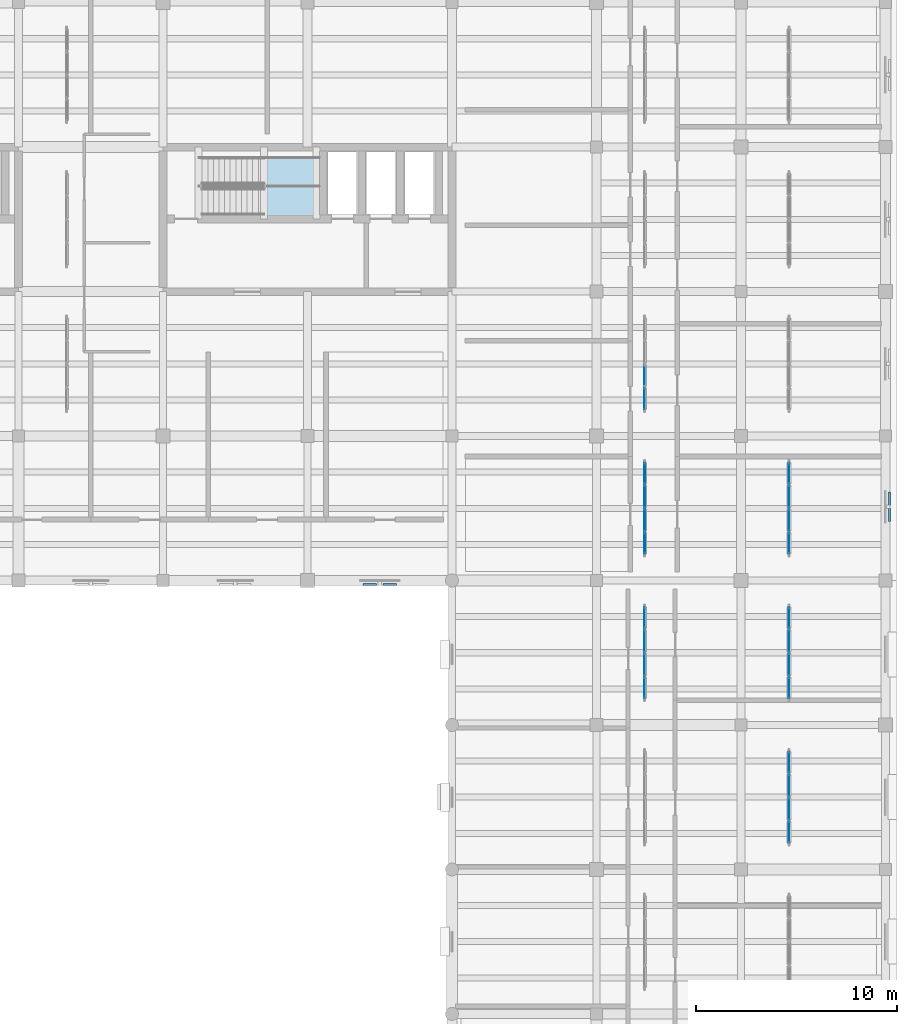
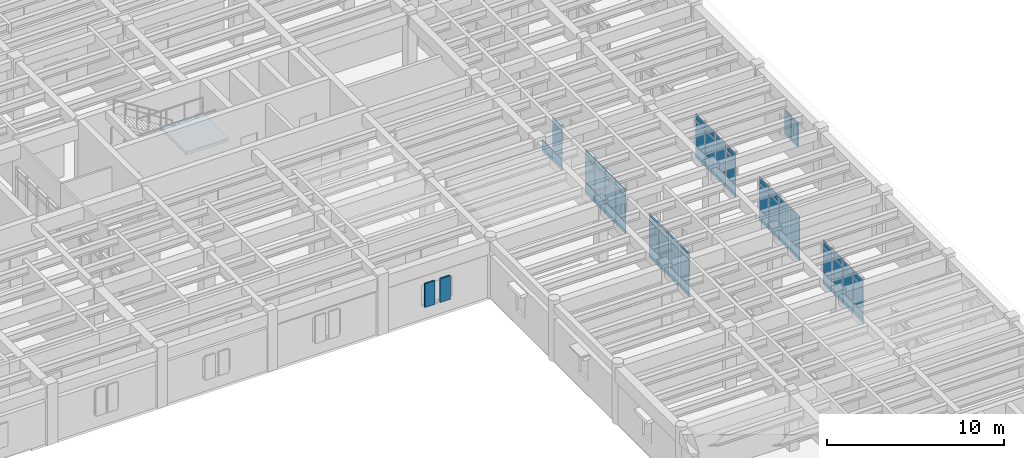
# One storey, part 32 of 66: 68 plates, 1 slab, 7 elements without a shape of their own.
"""IFC4 building model written with IfcOpenShell, lengths in metres."""

from ifc_helpers import new_model, si_unit, direction, frame, origin, origin_2d, place, context, subcontext, project, spatial, polyline, rectangle, outline, extrude, material, layer, layer_set, type_object, element, aggregate, save


model = new_model("IFC4")

# Units and contexts
model_context = context("Model", 3, precision=1e-05, world=origin(), true_north=direction((0.0, 1.0)))
body_context = subcontext(model_context, "Body", "Model", "MODEL_VIEW")
ifc_project = project(units=[si_unit("LENGTHUNIT", "METRE"), si_unit("AREAUNIT", "SQUARE_METRE"), si_unit("VOLUMEUNIT", "CUBIC_METRE"), si_unit("PLANEANGLEUNIT", "RADIAN"), si_unit("MASSUNIT", "GRAM", prefix="KILO")], contexts=[model_context])

# Site, building, storey
site_placement = place(None, origin())
site = spatial("IfcSite", under=ifc_project, at=site_placement, CompositionType="ELEMENT")
building_placement = place(site_placement, origin())
building = spatial("IfcBuilding", under=site, at=building_placement, Name="Mithqara Police Headquarters", CompositionType="ELEMENT")
storey_placement = place(building_placement, frame((0.0, 0.0, 9.60009765625)))
storey = spatial("IfcBuildingStorey", under=building, at=storey_placement, Name="L02", CompositionType="ELEMENT", Elevation=9.60009765625)

# Curtain wall, plates
ifc_material_1 = material(Name="Bronze anodised aluminium 6063-T6", Category="aluminium")
curtain_wall_type = type_object("IfcCurtainWallType", Name="CURTAIN WALL 4700X3220", PredefinedType="USERDEFINED", material=ifc_material_1)
curtain_wall_1_placement = place(storey_placement, origin())
curtain_wall_1 = element("IfcCurtainWall", 1, at=curtain_wall_1_placement, inside=storey, type_object=curtain_wall_type, Name="L02 Unitised Glazing CW-16 (CW-INT-L02-X21-Y10-0)", ObjectType="UNITISED GLAZING", PredefinedType="USERDEFINED")
ifc_material_2 = material(Name="Spectrally selective double low-e glass", Category="glass")
ifc_layer_1 = layer(ifc_material_2, 0.028076171875, Name="Spectrally selective double low-e glass")
ifc_layer_set_1 = layer_set([ifc_layer_1], Name="Spectrally selective double low-e glass")
plate_type_1 = type_object("IfcPlateType", Name="CWPANEL GLASS28", PredefinedType="CURTAIN_PANEL", material=ifc_layer_set_1)
plate_1_placement = place(storey_placement, frame((154.199951171875, 73.25634765625, 0.074951171875), z_axis=(0.0, 0.0, 1.0), x_axis=(0.0, 1.0, 0.0)))
plate_1 = element("IfcPlate", 2, at=plate_1_placement, type_object=plate_type_1, Name="CW-16 panel 1.1", PredefinedType="CURTAIN_PANEL", context=body_context, shape_type="SweptSolid", body=[
    extrude(rectangle(XDim=1.0625, YDim=0.028076171875, at=origin_2d()), origin(), (0.0, 0.0, 1.0), 0.78759765625),
])
plate_2_placement = place(storey_placement, frame((154.199951171875, 73.25634765625, 0.9375), z_axis=(0.0, 0.0, 1.0), x_axis=(0.0, 1.0, 0.0)))
plate_2 = element("IfcPlate", 3, at=plate_2_placement, type_object=plate_type_1, Name="CW-16 panel 1.2", PredefinedType="CURTAIN_PANEL", context=body_context, shape_type="SweptSolid", body=[
    extrude(rectangle(XDim=1.0625, YDim=0.028076171875, at=origin_2d()), origin(), (0.0, 0.0, 1.0), 1.695068359375),
])
plate_3_placement = place(storey_placement, frame((154.199951171875, 73.25634765625, 2.70751953125), z_axis=(0.0, 0.0, 1.0), x_axis=(0.0, 1.0, 0.0)))
plate_3 = element("IfcPlate", 4, at=plate_3_placement, type_object=plate_type_1, Name="CW-16 panel 1.3", PredefinedType="CURTAIN_PANEL", context=body_context, shape_type="SweptSolid", body=[
    extrude(rectangle(XDim=1.0625, YDim=0.028076171875, at=origin_2d()), origin(), (0.0, 0.0, 1.0), 0.4375),
])
plate_4_placement = place(storey_placement, frame((154.199951171875, 74.41259765625, 0.074951171875), z_axis=(0.0, 0.0, 1.0), x_axis=(0.0, 1.0, 0.0)))
plate_4 = element("IfcPlate", 5, at=plate_4_placement, type_object=plate_type_1, Name="CW-16 panel 2.1", PredefinedType="CURTAIN_PANEL", context=body_context, shape_type="SweptSolid", body=[
    extrude(rectangle(XDim=1.10009765625, YDim=0.028076171875, at=origin_2d()), origin(), (0.0, 0.0, 1.0), 0.78759765625),
])
plate_5_placement = place(storey_placement, frame((154.199951171875, 74.41259765625, 0.9375), z_axis=(0.0, 0.0, 1.0), x_axis=(0.0, 1.0, 0.0)))
plate_5 = element("IfcPlate", 6, at=plate_5_placement, type_object=plate_type_1, Name="CW-16 panel 2.2", PredefinedType="CURTAIN_PANEL", context=body_context, shape_type="SweptSolid", body=[
    extrude(rectangle(XDim=1.10009765625, YDim=0.028076171875, at=origin_2d()), origin(), (0.0, 0.0, 1.0), 1.695068359375),
])
plate_6_placement = place(storey_placement, frame((154.199951171875, 74.41259765625, 2.70751953125), z_axis=(0.0, 0.0, 1.0), x_axis=(0.0, 1.0, 0.0)))
plate_6 = element("IfcPlate", 7, at=plate_6_placement, type_object=plate_type_1, Name="CW-16 panel 2.3", PredefinedType="CURTAIN_PANEL", context=body_context, shape_type="SweptSolid", body=[
    extrude(rectangle(XDim=1.10009765625, YDim=0.028076171875, at=origin_2d()), origin(), (0.0, 0.0, 1.0), 0.4375),
])
plate_7_placement = place(storey_placement, frame((154.199951171875, 75.58740234375, 0.074951171875), z_axis=(0.0, 0.0, 1.0), x_axis=(0.0, 1.0, 0.0)))
plate_7 = element("IfcPlate", 8, at=plate_7_placement, type_object=plate_type_1, Name="CW-16 panel 3.1", PredefinedType="CURTAIN_PANEL", context=body_context, shape_type="SweptSolid", body=[
    extrude(rectangle(XDim=1.10009765625, YDim=0.028076171875, at=origin_2d()), origin(), (0.0, 0.0, 1.0), 0.78759765625),
])
plate_8_placement = place(storey_placement, frame((154.199951171875, 75.58740234375, 0.9375), z_axis=(0.0, 0.0, 1.0), x_axis=(0.0, 1.0, 0.0)))
plate_8 = element("IfcPlate", 9, at=plate_8_placement, type_object=plate_type_1, Name="CW-16 panel 3.2", PredefinedType="CURTAIN_PANEL", context=body_context, shape_type="SweptSolid", body=[
    extrude(rectangle(XDim=1.10009765625, YDim=0.028076171875, at=origin_2d()), origin(), (0.0, 0.0, 1.0), 1.695068359375),
])
plate_9_placement = place(storey_placement, frame((154.199951171875, 75.58740234375, 2.70751953125), z_axis=(0.0, 0.0, 1.0), x_axis=(0.0, 1.0, 0.0)))
plate_9 = element("IfcPlate", 10, at=plate_9_placement, type_object=plate_type_1, Name="CW-16 panel 3.3", PredefinedType="CURTAIN_PANEL", context=body_context, shape_type="SweptSolid", body=[
    extrude(rectangle(XDim=1.10009765625, YDim=0.028076171875, at=origin_2d()), origin(), (0.0, 0.0, 1.0), 0.4375),
])
plate_10_placement = place(storey_placement, frame((154.199951171875, 76.74365234375, 0.074951171875), z_axis=(0.0, 0.0, 1.0), x_axis=(0.0, 1.0, 0.0)))
plate_10 = element("IfcPlate", 11, at=plate_10_placement, type_object=plate_type_1, Name="CW-16 panel 4.1", PredefinedType="CURTAIN_PANEL", context=body_context, shape_type="SweptSolid", body=[
    extrude(rectangle(XDim=1.0625, YDim=0.028076171875, at=origin_2d()), origin(), (0.0, 0.0, 1.0), 0.78759765625),
])
plate_11_placement = place(storey_placement, frame((154.199951171875, 76.74365234375, 0.9375), z_axis=(0.0, 0.0, 1.0), x_axis=(0.0, 1.0, 0.0)))
plate_11 = element("IfcPlate", 12, at=plate_11_placement, type_object=plate_type_1, Name="CW-16 panel 4.2", PredefinedType="CURTAIN_PANEL", context=body_context, shape_type="SweptSolid", body=[
    extrude(rectangle(XDim=1.0625, YDim=0.028076171875, at=origin_2d()), origin(), (0.0, 0.0, 1.0), 1.695068359375),
])
plate_12_placement = place(storey_placement, frame((154.199951171875, 76.74365234375, 2.70751953125), z_axis=(0.0, 0.0, 1.0), x_axis=(0.0, 1.0, 0.0)))
plate_12 = element("IfcPlate", 13, at=plate_12_placement, type_object=plate_type_1, Name="CW-16 panel 4.3", PredefinedType="CURTAIN_PANEL", context=body_context, shape_type="SweptSolid", body=[
    extrude(rectangle(XDim=1.0625, YDim=0.028076171875, at=origin_2d()), origin(), (0.0, 0.0, 1.0), 0.4375),
])
aggregate(curtain_wall_1, [plate_1, plate_2, plate_3, plate_4, plate_5, plate_6, plate_7, plate_8, plate_9, plate_10, plate_11, plate_12])

curtain_wall_2_placement = place(storey_placement, origin())
curtain_wall_2 = element("IfcCurtainWall", 14, at=curtain_wall_2_placement, inside=storey, type_object=curtain_wall_type, Name="L02 Unitised Glazing CW-16 (CW-INT-L02-X21-Y12-0)", ObjectType="UNITISED GLAZING", PredefinedType="USERDEFINED")
plate_13_placement = place(storey_placement, frame((154.199951171875, 87.65625, 0.074951171875), z_axis=(0.0, 0.0, 1.0), x_axis=(0.0, 1.0, 0.0)))
plate_13 = element("IfcPlate", 15, at=plate_13_placement, type_object=plate_type_1, Name="CW-16 panel 1.1", PredefinedType="CURTAIN_PANEL", context=body_context, shape_type="SweptSolid", body=[
    extrude(rectangle(XDim=1.0625, YDim=0.028076171875, at=origin_2d()), origin(), (0.0, 0.0, 1.0), 0.78759765625),
])
plate_14_placement = place(storey_placement, frame((154.199951171875, 87.65625, 0.9375), z_axis=(0.0, 0.0, 1.0), x_axis=(0.0, 1.0, 0.0)))
plate_14 = element("IfcPlate", 16, at=plate_14_placement, type_object=plate_type_1, Name="CW-16 panel 1.2", PredefinedType="CURTAIN_PANEL", context=body_context, shape_type="SweptSolid", body=[
    extrude(rectangle(XDim=1.0625, YDim=0.028076171875, at=origin_2d()), origin(), (0.0, 0.0, 1.0), 1.695068359375),
])
plate_15_placement = place(storey_placement, frame((154.199951171875, 87.65625, 2.70751953125), z_axis=(0.0, 0.0, 1.0), x_axis=(0.0, 1.0, 0.0)))
plate_15 = element("IfcPlate", 17, at=plate_15_placement, type_object=plate_type_1, Name="CW-16 panel 1.3", PredefinedType="CURTAIN_PANEL", context=body_context, shape_type="SweptSolid", body=[
    extrude(rectangle(XDim=1.0625, YDim=0.028076171875, at=origin_2d()), origin(), (0.0, 0.0, 1.0), 0.4375),
])
plate_16_placement = place(storey_placement, frame((154.199951171875, 88.8125, 0.074951171875), z_axis=(0.0, 0.0, 1.0), x_axis=(0.0, 1.0, 0.0)))
plate_16 = element("IfcPlate", 18, at=plate_16_placement, type_object=plate_type_1, Name="CW-16 panel 2.1", PredefinedType="CURTAIN_PANEL", context=body_context, shape_type="SweptSolid", body=[
    extrude(rectangle(XDim=1.10009765625, YDim=0.028076171875, at=origin_2d()), origin(), (0.0, 0.0, 1.0), 0.78759765625),
])
aggregate(curtain_wall_2, [plate_13, plate_14, plate_15, plate_16])

curtain_wall_3_placement = place(storey_placement, origin())
curtain_wall_3 = element("IfcCurtainWall", 19, at=curtain_wall_3_placement, inside=storey, type_object=curtain_wall_type, Name="L02 Unitised Glazing CW-16 (CW-INT-L02-X22-Y09-0)", ObjectType="UNITISED GLAZING", PredefinedType="USERDEFINED")
plate_17_placement = place(storey_placement, frame((161.39990234375, 66.05615234375, 0.074951171875), z_axis=(0.0, 0.0, 1.0), x_axis=(0.0, 1.0, 0.0)))
plate_17 = element("IfcPlate", 20, at=plate_17_placement, type_object=plate_type_1, Name="CW-16 panel 1.1", PredefinedType="CURTAIN_PANEL", context=body_context, shape_type="SweptSolid", body=[
    extrude(rectangle(XDim=1.0625, YDim=0.028076171875, at=origin_2d()), origin(), (0.0, 0.0, 1.0), 0.78759765625),
])
plate_18_placement = place(storey_placement, frame((161.39990234375, 66.05615234375, 0.9375), z_axis=(0.0, 0.0, 1.0), x_axis=(0.0, 1.0, 0.0)))
plate_18 = element("IfcPlate", 21, at=plate_18_placement, type_object=plate_type_1, Name="CW-16 panel 1.2", PredefinedType="CURTAIN_PANEL", context=body_context, shape_type="SweptSolid", body=[
    extrude(rectangle(XDim=1.0625, YDim=0.028076171875, at=origin_2d()), origin(), (0.0, 0.0, 1.0), 1.695068359375),
])
plate_19_placement = place(storey_placement, frame((161.39990234375, 66.05615234375, 2.70751953125), z_axis=(0.0, 0.0, 1.0), x_axis=(0.0, 1.0, 0.0)))
plate_19 = element("IfcPlate", 22, at=plate_19_placement, type_object=plate_type_1, Name="CW-16 panel 1.3", PredefinedType="CURTAIN_PANEL", context=body_context, shape_type="SweptSolid", body=[
    extrude(rectangle(XDim=1.0625, YDim=0.028076171875, at=origin_2d()), origin(), (0.0, 0.0, 1.0), 0.4375),
])
plate_20_placement = place(storey_placement, frame((161.39990234375, 67.21240234375, 0.074951171875), z_axis=(0.0, 0.0, 1.0), x_axis=(0.0, 1.0, 0.0)))
plate_20 = element("IfcPlate", 23, at=plate_20_placement, type_object=plate_type_1, Name="CW-16 panel 2.1", PredefinedType="CURTAIN_PANEL", context=body_context, shape_type="SweptSolid", body=[
    extrude(rectangle(XDim=1.10009765625, YDim=0.028076171875, at=origin_2d()), origin(), (0.0, 0.0, 1.0), 0.78759765625),
])
plate_21_placement = place(storey_placement, frame((161.39990234375, 67.21240234375, 0.9375), z_axis=(0.0, 0.0, 1.0), x_axis=(0.0, 1.0, 0.0)))
plate_21 = element("IfcPlate", 24, at=plate_21_placement, type_object=plate_type_1, Name="CW-16 panel 2.2", PredefinedType="CURTAIN_PANEL", context=body_context, shape_type="SweptSolid", body=[
    extrude(rectangle(XDim=1.10009765625, YDim=0.028076171875, at=origin_2d()), origin(), (0.0, 0.0, 1.0), 1.695068359375),
])
plate_22_placement = place(storey_placement, frame((161.39990234375, 67.21240234375, 2.70751953125), z_axis=(0.0, 0.0, 1.0), x_axis=(0.0, 1.0, 0.0)))
plate_22 = element("IfcPlate", 25, at=plate_22_placement, type_object=plate_type_1, Name="CW-16 panel 2.3", PredefinedType="CURTAIN_PANEL", context=body_context, shape_type="SweptSolid", body=[
    extrude(rectangle(XDim=1.10009765625, YDim=0.028076171875, at=origin_2d()), origin(), (0.0, 0.0, 1.0), 0.4375),
])
plate_23_placement = place(storey_placement, frame((161.39990234375, 68.387451171875, 0.074951171875), z_axis=(0.0, 0.0, 1.0), x_axis=(0.0, 1.0, 0.0)))
plate_23 = element("IfcPlate", 26, at=plate_23_placement, type_object=plate_type_1, Name="CW-16 panel 3.1", PredefinedType="CURTAIN_PANEL", context=body_context, shape_type="SweptSolid", body=[
    extrude(rectangle(XDim=1.10009765625, YDim=0.028076171875, at=origin_2d()), origin(), (0.0, 0.0, 1.0), 0.78759765625),
])
plate_24_placement = place(storey_placement, frame((161.39990234375, 68.387451171875, 0.9375), z_axis=(0.0, 0.0, 1.0), x_axis=(0.0, 1.0, 0.0)))
plate_24 = element("IfcPlate", 27, at=plate_24_placement, type_object=plate_type_1, Name="CW-16 panel 3.2", PredefinedType="CURTAIN_PANEL", context=body_context, shape_type="SweptSolid", body=[
    extrude(rectangle(XDim=1.10009765625, YDim=0.028076171875, at=origin_2d()), origin(), (0.0, 0.0, 1.0), 1.695068359375),
])
plate_25_placement = place(storey_placement, frame((161.39990234375, 68.387451171875, 2.70751953125), z_axis=(0.0, 0.0, 1.0), x_axis=(0.0, 1.0, 0.0)))
plate_25 = element("IfcPlate", 28, at=plate_25_placement, type_object=plate_type_1, Name="CW-16 panel 3.3", PredefinedType="CURTAIN_PANEL", context=body_context, shape_type="SweptSolid", body=[
    extrude(rectangle(XDim=1.10009765625, YDim=0.028076171875, at=origin_2d()), origin(), (0.0, 0.0, 1.0), 0.4375),
])
plate_26_placement = place(storey_placement, frame((161.39990234375, 69.543701171875, 0.074951171875), z_axis=(0.0, 0.0, 1.0), x_axis=(0.0, 1.0, 0.0)))
plate_26 = element("IfcPlate", 29, at=plate_26_placement, type_object=plate_type_1, Name="CW-16 panel 4.1", PredefinedType="CURTAIN_PANEL", context=body_context, shape_type="SweptSolid", body=[
    extrude(rectangle(XDim=1.0625, YDim=0.028076171875, at=origin_2d()), origin(), (0.0, 0.0, 1.0), 0.78759765625),
])
plate_27_placement = place(storey_placement, frame((161.39990234375, 69.543701171875, 0.9375), z_axis=(0.0, 0.0, 1.0), x_axis=(0.0, 1.0, 0.0)))
plate_27 = element("IfcPlate", 30, at=plate_27_placement, type_object=plate_type_1, Name="CW-16 panel 4.2", PredefinedType="CURTAIN_PANEL", context=body_context, shape_type="SweptSolid", body=[
    extrude(rectangle(XDim=1.0625, YDim=0.028076171875, at=origin_2d()), origin(), (0.0, 0.0, 1.0), 1.695068359375),
])
plate_28_placement = place(storey_placement, frame((161.39990234375, 69.543701171875, 2.70751953125), z_axis=(0.0, 0.0, 1.0), x_axis=(0.0, 1.0, 0.0)))
plate_28 = element("IfcPlate", 31, at=plate_28_placement, type_object=plate_type_1, Name="CW-16 panel 4.3", PredefinedType="CURTAIN_PANEL", context=body_context, shape_type="SweptSolid", body=[
    extrude(rectangle(XDim=1.0625, YDim=0.028076171875, at=origin_2d()), origin(), (0.0, 0.0, 1.0), 0.4375),
])
aggregate(curtain_wall_3, [plate_17, plate_18, plate_19, plate_20, plate_21, plate_22, plate_23, plate_24, plate_25, plate_26, plate_27, plate_28])

curtain_wall_4_placement = place(storey_placement, origin())
curtain_wall_4 = element("IfcCurtainWall", 32, at=curtain_wall_4_placement, inside=storey, type_object=curtain_wall_type, Name="L02 Unitised Glazing CW-16 (CW-INT-L02-X22-Y10-0)", ObjectType="UNITISED GLAZING", PredefinedType="USERDEFINED")
plate_29_placement = place(storey_placement, frame((161.39990234375, 73.25634765625, 0.074951171875), z_axis=(0.0, 0.0, 1.0), x_axis=(0.0, 1.0, 0.0)))
plate_29 = element("IfcPlate", 33, at=plate_29_placement, type_object=plate_type_1, Name="CW-16 panel 1.1", PredefinedType="CURTAIN_PANEL", context=body_context, shape_type="SweptSolid", body=[
    extrude(rectangle(XDim=1.0625, YDim=0.028076171875, at=origin_2d()), origin(), (0.0, 0.0, 1.0), 0.78759765625),
])
plate_30_placement = place(storey_placement, frame((161.39990234375, 73.25634765625, 0.9375), z_axis=(0.0, 0.0, 1.0), x_axis=(0.0, 1.0, 0.0)))
plate_30 = element("IfcPlate", 34, at=plate_30_placement, type_object=plate_type_1, Name="CW-16 panel 1.2", PredefinedType="CURTAIN_PANEL", context=body_context, shape_type="SweptSolid", body=[
    extrude(rectangle(XDim=1.0625, YDim=0.028076171875, at=origin_2d()), origin(), (0.0, 0.0, 1.0), 1.695068359375),
])
plate_31_placement = place(storey_placement, frame((161.39990234375, 73.25634765625, 2.70751953125), z_axis=(0.0, 0.0, 1.0), x_axis=(0.0, 1.0, 0.0)))
plate_31 = element("IfcPlate", 35, at=plate_31_placement, type_object=plate_type_1, Name="CW-16 panel 1.3", PredefinedType="CURTAIN_PANEL", context=body_context, shape_type="SweptSolid", body=[
    extrude(rectangle(XDim=1.0625, YDim=0.028076171875, at=origin_2d()), origin(), (0.0, 0.0, 1.0), 0.4375),
])
plate_32_placement = place(storey_placement, frame((161.39990234375, 74.41259765625, 0.074951171875), z_axis=(0.0, 0.0, 1.0), x_axis=(0.0, 1.0, 0.0)))
plate_32 = element("IfcPlate", 36, at=plate_32_placement, type_object=plate_type_1, Name="CW-16 panel 2.1", PredefinedType="CURTAIN_PANEL", context=body_context, shape_type="SweptSolid", body=[
    extrude(rectangle(XDim=1.10009765625, YDim=0.028076171875, at=origin_2d()), origin(), (0.0, 0.0, 1.0), 0.78759765625),
])
plate_33_placement = place(storey_placement, frame((161.39990234375, 74.41259765625, 0.9375), z_axis=(0.0, 0.0, 1.0), x_axis=(0.0, 1.0, 0.0)))
plate_33 = element("IfcPlate", 37, at=plate_33_placement, type_object=plate_type_1, Name="CW-16 panel 2.2", PredefinedType="CURTAIN_PANEL", context=body_context, shape_type="SweptSolid", body=[
    extrude(rectangle(XDim=1.10009765625, YDim=0.028076171875, at=origin_2d()), origin(), (0.0, 0.0, 1.0), 1.695068359375),
])
plate_34_placement = place(storey_placement, frame((161.39990234375, 74.41259765625, 2.70751953125), z_axis=(0.0, 0.0, 1.0), x_axis=(0.0, 1.0, 0.0)))
plate_34 = element("IfcPlate", 38, at=plate_34_placement, type_object=plate_type_1, Name="CW-16 panel 2.3", PredefinedType="CURTAIN_PANEL", context=body_context, shape_type="SweptSolid", body=[
    extrude(rectangle(XDim=1.10009765625, YDim=0.028076171875, at=origin_2d()), origin(), (0.0, 0.0, 1.0), 0.4375),
])
plate_35_placement = place(storey_placement, frame((161.39990234375, 75.58740234375, 0.074951171875), z_axis=(0.0, 0.0, 1.0), x_axis=(0.0, 1.0, 0.0)))
plate_35 = element("IfcPlate", 39, at=plate_35_placement, type_object=plate_type_1, Name="CW-16 panel 3.1", PredefinedType="CURTAIN_PANEL", context=body_context, shape_type="SweptSolid", body=[
    extrude(rectangle(XDim=1.10009765625, YDim=0.028076171875, at=origin_2d()), origin(), (0.0, 0.0, 1.0), 0.78759765625),
])
plate_36_placement = place(storey_placement, frame((161.39990234375, 75.58740234375, 0.9375), z_axis=(0.0, 0.0, 1.0), x_axis=(0.0, 1.0, 0.0)))
plate_36 = element("IfcPlate", 40, at=plate_36_placement, type_object=plate_type_1, Name="CW-16 panel 3.2", PredefinedType="CURTAIN_PANEL", context=body_context, shape_type="SweptSolid", body=[
    extrude(rectangle(XDim=1.10009765625, YDim=0.028076171875, at=origin_2d()), origin(), (0.0, 0.0, 1.0), 1.695068359375),
])
plate_37_placement = place(storey_placement, frame((161.39990234375, 75.58740234375, 2.70751953125), z_axis=(0.0, 0.0, 1.0), x_axis=(0.0, 1.0, 0.0)))
plate_37 = element("IfcPlate", 41, at=plate_37_placement, type_object=plate_type_1, Name="CW-16 panel 3.3", PredefinedType="CURTAIN_PANEL", context=body_context, shape_type="SweptSolid", body=[
    extrude(rectangle(XDim=1.10009765625, YDim=0.028076171875, at=origin_2d()), origin(), (0.0, 0.0, 1.0), 0.4375),
])
plate_38_placement = place(storey_placement, frame((161.39990234375, 76.74365234375, 0.074951171875), z_axis=(0.0, 0.0, 1.0), x_axis=(0.0, 1.0, 0.0)))
plate_38 = element("IfcPlate", 42, at=plate_38_placement, type_object=plate_type_1, Name="CW-16 panel 4.1", PredefinedType="CURTAIN_PANEL", context=body_context, shape_type="SweptSolid", body=[
    extrude(rectangle(XDim=1.0625, YDim=0.028076171875, at=origin_2d()), origin(), (0.0, 0.0, 1.0), 0.78759765625),
])
plate_39_placement = place(storey_placement, frame((161.39990234375, 76.74365234375, 0.9375), z_axis=(0.0, 0.0, 1.0), x_axis=(0.0, 1.0, 0.0)))
plate_39 = element("IfcPlate", 43, at=plate_39_placement, type_object=plate_type_1, Name="CW-16 panel 4.2", PredefinedType="CURTAIN_PANEL", context=body_context, shape_type="SweptSolid", body=[
    extrude(rectangle(XDim=1.0625, YDim=0.028076171875, at=origin_2d()), origin(), (0.0, 0.0, 1.0), 1.695068359375),
])
plate_40_placement = place(storey_placement, frame((161.39990234375, 76.74365234375, 2.70751953125), z_axis=(0.0, 0.0, 1.0), x_axis=(0.0, 1.0, 0.0)))
plate_40 = element("IfcPlate", 44, at=plate_40_placement, type_object=plate_type_1, Name="CW-16 panel 4.3", PredefinedType="CURTAIN_PANEL", context=body_context, shape_type="SweptSolid", body=[
    extrude(rectangle(XDim=1.0625, YDim=0.028076171875, at=origin_2d()), origin(), (0.0, 0.0, 1.0), 0.4375),
])
aggregate(curtain_wall_4, [plate_29, plate_30, plate_31, plate_32, plate_33, plate_34, plate_35, plate_36, plate_37, plate_38, plate_39, plate_40])

curtain_wall_5_placement = place(storey_placement, origin())
curtain_wall_5 = element("IfcCurtainWall", 45, at=curtain_wall_5_placement, inside=storey, type_object=curtain_wall_type, Name="L02 Unitised Glazing CW-16 (CW-INT-L02-X22-Y11-0)", ObjectType="UNITISED GLAZING", PredefinedType="USERDEFINED")
plate_41_placement = place(storey_placement, frame((161.39990234375, 80.456298828125, 0.074951171875), z_axis=(0.0, 0.0, 1.0), x_axis=(0.0, 1.0, 0.0)))
plate_41 = element("IfcPlate", 46, at=plate_41_placement, type_object=plate_type_1, Name="CW-16 panel 1.1", PredefinedType="CURTAIN_PANEL", context=body_context, shape_type="SweptSolid", body=[
    extrude(rectangle(XDim=1.0625, YDim=0.028076171875, at=origin_2d()), origin(), (0.0, 0.0, 1.0), 0.78759765625),
])
plate_42_placement = place(storey_placement, frame((161.39990234375, 80.456298828125, 0.9375), z_axis=(0.0, 0.0, 1.0), x_axis=(0.0, 1.0, 0.0)))
plate_42 = element("IfcPlate", 47, at=plate_42_placement, type_object=plate_type_1, Name="CW-16 panel 1.2", PredefinedType="CURTAIN_PANEL", context=body_context, shape_type="SweptSolid", body=[
    extrude(rectangle(XDim=1.0625, YDim=0.028076171875, at=origin_2d()), origin(), (0.0, 0.0, 1.0), 1.695068359375),
])
plate_43_placement = place(storey_placement, frame((161.39990234375, 80.456298828125, 2.70751953125), z_axis=(0.0, 0.0, 1.0), x_axis=(0.0, 1.0, 0.0)))
plate_43 = element("IfcPlate", 48, at=plate_43_placement, type_object=plate_type_1, Name="CW-16 panel 1.3", PredefinedType="CURTAIN_PANEL", context=body_context, shape_type="SweptSolid", body=[
    extrude(rectangle(XDim=1.0625, YDim=0.028076171875, at=origin_2d()), origin(), (0.0, 0.0, 1.0), 0.4375),
])
plate_44_placement = place(storey_placement, frame((161.39990234375, 81.612548828125, 0.074951171875), z_axis=(0.0, 0.0, 1.0), x_axis=(0.0, 1.0, 0.0)))
plate_44 = element("IfcPlate", 49, at=plate_44_placement, type_object=plate_type_1, Name="CW-16 panel 2.1", PredefinedType="CURTAIN_PANEL", context=body_context, shape_type="SweptSolid", body=[
    extrude(rectangle(XDim=1.10009765625, YDim=0.028076171875, at=origin_2d()), origin(), (0.0, 0.0, 1.0), 0.78759765625),
])
plate_45_placement = place(storey_placement, frame((161.39990234375, 81.612548828125, 0.9375), z_axis=(0.0, 0.0, 1.0), x_axis=(0.0, 1.0, 0.0)))
plate_45 = element("IfcPlate", 50, at=plate_45_placement, type_object=plate_type_1, Name="CW-16 panel 2.2", PredefinedType="CURTAIN_PANEL", context=body_context, shape_type="SweptSolid", body=[
    extrude(rectangle(XDim=1.10009765625, YDim=0.028076171875, at=origin_2d()), origin(), (0.0, 0.0, 1.0), 1.695068359375),
])
plate_46_placement = place(storey_placement, frame((161.39990234375, 81.612548828125, 2.70751953125), z_axis=(0.0, 0.0, 1.0), x_axis=(0.0, 1.0, 0.0)))
plate_46 = element("IfcPlate", 51, at=plate_46_placement, type_object=plate_type_1, Name="CW-16 panel 2.3", PredefinedType="CURTAIN_PANEL", context=body_context, shape_type="SweptSolid", body=[
    extrude(rectangle(XDim=1.10009765625, YDim=0.028076171875, at=origin_2d()), origin(), (0.0, 0.0, 1.0), 0.4375),
])
plate_47_placement = place(storey_placement, frame((161.39990234375, 82.78759765625, 0.074951171875), z_axis=(0.0, 0.0, 1.0), x_axis=(0.0, 1.0, 0.0)))
plate_47 = element("IfcPlate", 52, at=plate_47_placement, type_object=plate_type_1, Name="CW-16 panel 3.1", PredefinedType="CURTAIN_PANEL", context=body_context, shape_type="SweptSolid", body=[
    extrude(rectangle(XDim=1.10009765625, YDim=0.028076171875, at=origin_2d()), origin(), (0.0, 0.0, 1.0), 0.78759765625),
])
plate_48_placement = place(storey_placement, frame((161.39990234375, 82.78759765625, 0.9375), z_axis=(0.0, 0.0, 1.0), x_axis=(0.0, 1.0, 0.0)))
plate_48 = element("IfcPlate", 53, at=plate_48_placement, type_object=plate_type_1, Name="CW-16 panel 3.2", PredefinedType="CURTAIN_PANEL", context=body_context, shape_type="SweptSolid", body=[
    extrude(rectangle(XDim=1.10009765625, YDim=0.028076171875, at=origin_2d()), origin(), (0.0, 0.0, 1.0), 1.695068359375),
])
plate_49_placement = place(storey_placement, frame((161.39990234375, 82.78759765625, 2.70751953125), z_axis=(0.0, 0.0, 1.0), x_axis=(0.0, 1.0, 0.0)))
plate_49 = element("IfcPlate", 54, at=plate_49_placement, type_object=plate_type_1, Name="CW-16 panel 3.3", PredefinedType="CURTAIN_PANEL", context=body_context, shape_type="SweptSolid", body=[
    extrude(rectangle(XDim=1.10009765625, YDim=0.028076171875, at=origin_2d()), origin(), (0.0, 0.0, 1.0), 0.4375),
])
plate_50_placement = place(storey_placement, frame((161.39990234375, 83.94384765625, 0.074951171875), z_axis=(0.0, 0.0, 1.0), x_axis=(0.0, 1.0, 0.0)))
plate_50 = element("IfcPlate", 55, at=plate_50_placement, type_object=plate_type_1, Name="CW-16 panel 4.1", PredefinedType="CURTAIN_PANEL", context=body_context, shape_type="SweptSolid", body=[
    extrude(rectangle(XDim=1.0625, YDim=0.028076171875, at=origin_2d()), origin(), (0.0, 0.0, 1.0), 0.78759765625),
])
plate_51_placement = place(storey_placement, frame((161.39990234375, 83.94384765625, 0.9375), z_axis=(0.0, 0.0, 1.0), x_axis=(0.0, 1.0, 0.0)))
plate_51 = element("IfcPlate", 56, at=plate_51_placement, type_object=plate_type_1, Name="CW-16 panel 4.2", PredefinedType="CURTAIN_PANEL", context=body_context, shape_type="SweptSolid", body=[
    extrude(rectangle(XDim=1.0625, YDim=0.028076171875, at=origin_2d()), origin(), (0.0, 0.0, 1.0), 1.695068359375),
])
plate_52_placement = place(storey_placement, frame((161.39990234375, 83.94384765625, 2.70751953125), z_axis=(0.0, 0.0, 1.0), x_axis=(0.0, 1.0, 0.0)))
plate_52 = element("IfcPlate", 57, at=plate_52_placement, type_object=plate_type_1, Name="CW-16 panel 4.3", PredefinedType="CURTAIN_PANEL", context=body_context, shape_type="SweptSolid", body=[
    extrude(rectangle(XDim=1.0625, YDim=0.028076171875, at=origin_2d()), origin(), (0.0, 0.0, 1.0), 0.4375),
])
aggregate(curtain_wall_5, [plate_41, plate_42, plate_43, plate_44, plate_45, plate_46, plate_47, plate_48, plate_49, plate_50, plate_51, plate_52])

curtain_wall_6_placement = place(storey_placement, origin())
curtain_wall_6 = element("IfcCurtainWall", 58, at=curtain_wall_6_placement, inside=storey, type_object=curtain_wall_type, Name="L02 Unitised Glazing CW-16 (CW-INT-L02-X21-Y11-0)", ObjectType="UNITISED GLAZING", PredefinedType="USERDEFINED")
ifc_material_3 = material(Name="Insulated bronze aluminium spandrel panel", Category="aluminium")
ifc_layer_2 = layer(ifc_material_3, 0.048095703125, Name="Insulated bronze aluminium spandrel panel")
ifc_layer_set_2 = layer_set([ifc_layer_2], Name="Insulated bronze aluminium spandrel panel")
plate_type_2 = type_object("IfcPlateType", Name="CWPANEL SPANDREL48", PredefinedType="CURTAIN_PANEL", material=ifc_layer_set_2)
plate_53_placement = place(storey_placement, frame((154.199951171875, 80.456298828125, 0.074951171875), z_axis=(0.0, 0.0, 1.0), x_axis=(0.0, 1.0, 0.0)))
plate_53 = element("IfcPlate", 59, at=plate_53_placement, type_object=plate_type_2, Name="CW-16 panel 1.1", PredefinedType="CURTAIN_PANEL", context=body_context, shape_type="SweptSolid", body=[
    extrude(rectangle(XDim=1.0625, YDim=0.048095703125, at=origin_2d()), origin(), (0.0, 0.0, 1.0), 0.78759765625),
])
plate_54_placement = place(storey_placement, frame((154.199951171875, 80.456298828125, 0.9375), z_axis=(0.0, 0.0, 1.0), x_axis=(0.0, 1.0, 0.0)))
plate_54 = element("IfcPlate", 60, at=plate_54_placement, type_object=plate_type_2, Name="CW-16 panel 1.2", PredefinedType="CURTAIN_PANEL", context=body_context, shape_type="SweptSolid", body=[
    extrude(rectangle(XDim=1.0625, YDim=0.048095703125, at=origin_2d()), origin(), (0.0, 0.0, 1.0), 1.695068359375),
])
plate_55_placement = place(storey_placement, frame((154.199951171875, 80.456298828125, 2.70751953125), z_axis=(0.0, 0.0, 1.0), x_axis=(0.0, 1.0, 0.0)))
plate_55 = element("IfcPlate", 61, at=plate_55_placement, type_object=plate_type_2, Name="CW-16 panel 1.3", PredefinedType="CURTAIN_PANEL", context=body_context, shape_type="SweptSolid", body=[
    extrude(rectangle(XDim=1.0625, YDim=0.048095703125, at=origin_2d()), origin(), (0.0, 0.0, 1.0), 0.4375),
])
plate_56_placement = place(storey_placement, frame((154.199951171875, 81.612548828125, 0.074951171875), z_axis=(0.0, 0.0, 1.0), x_axis=(0.0, 1.0, 0.0)))
plate_56 = element("IfcPlate", 62, at=plate_56_placement, type_object=plate_type_2, Name="CW-16 panel 2.1", PredefinedType="CURTAIN_PANEL", context=body_context, shape_type="SweptSolid", body=[
    extrude(rectangle(XDim=1.10009765625, YDim=0.048095703125, at=origin_2d()), origin(), (0.0, 0.0, 1.0), 0.78759765625),
])
plate_57_placement = place(storey_placement, frame((154.199951171875, 81.612548828125, 0.9375), z_axis=(0.0, 0.0, 1.0), x_axis=(0.0, 1.0, 0.0)))
plate_57 = element("IfcPlate", 63, at=plate_57_placement, type_object=plate_type_2, Name="CW-16 panel 2.2", PredefinedType="CURTAIN_PANEL", context=body_context, shape_type="SweptSolid", body=[
    extrude(rectangle(XDim=1.10009765625, YDim=0.048095703125, at=origin_2d()), origin(), (0.0, 0.0, 1.0), 1.695068359375),
])
plate_58_placement = place(storey_placement, frame((154.199951171875, 81.612548828125, 2.70751953125), z_axis=(0.0, 0.0, 1.0), x_axis=(0.0, 1.0, 0.0)))
plate_58 = element("IfcPlate", 64, at=plate_58_placement, type_object=plate_type_2, Name="CW-16 panel 2.3", PredefinedType="CURTAIN_PANEL", context=body_context, shape_type="SweptSolid", body=[
    extrude(rectangle(XDim=1.10009765625, YDim=0.048095703125, at=origin_2d()), origin(), (0.0, 0.0, 1.0), 0.4375),
])
plate_59_placement = place(storey_placement, frame((154.199951171875, 82.78759765625, 0.074951171875), z_axis=(0.0, 0.0, 1.0), x_axis=(0.0, 1.0, 0.0)))
plate_59 = element("IfcPlate", 65, at=plate_59_placement, type_object=plate_type_2, Name="CW-16 panel 3.1", PredefinedType="CURTAIN_PANEL", context=body_context, shape_type="SweptSolid", body=[
    extrude(rectangle(XDim=1.10009765625, YDim=0.048095703125, at=origin_2d()), origin(), (0.0, 0.0, 1.0), 0.78759765625),
])
plate_60_placement = place(storey_placement, frame((154.199951171875, 82.78759765625, 0.9375), z_axis=(0.0, 0.0, 1.0), x_axis=(0.0, 1.0, 0.0)))
plate_60 = element("IfcPlate", 66, at=plate_60_placement, type_object=plate_type_2, Name="CW-16 panel 3.2", PredefinedType="CURTAIN_PANEL", context=body_context, shape_type="SweptSolid", body=[
    extrude(rectangle(XDim=1.10009765625, YDim=0.048095703125, at=origin_2d()), origin(), (0.0, 0.0, 1.0), 1.695068359375),
])
plate_61_placement = place(storey_placement, frame((154.199951171875, 82.78759765625, 2.70751953125), z_axis=(0.0, 0.0, 1.0), x_axis=(0.0, 1.0, 0.0)))
plate_61 = element("IfcPlate", 67, at=plate_61_placement, type_object=plate_type_2, Name="CW-16 panel 3.3", PredefinedType="CURTAIN_PANEL", context=body_context, shape_type="SweptSolid", body=[
    extrude(rectangle(XDim=1.10009765625, YDim=0.048095703125, at=origin_2d()), origin(), (0.0, 0.0, 1.0), 0.4375),
])
plate_62_placement = place(storey_placement, frame((154.199951171875, 83.94384765625, 0.074951171875), z_axis=(0.0, 0.0, 1.0), x_axis=(0.0, 1.0, 0.0)))
plate_62 = element("IfcPlate", 68, at=plate_62_placement, type_object=plate_type_2, Name="CW-16 panel 4.1", PredefinedType="CURTAIN_PANEL", context=body_context, shape_type="SweptSolid", body=[
    extrude(rectangle(XDim=1.0625, YDim=0.048095703125, at=origin_2d()), origin(), (0.0, 0.0, 1.0), 0.78759765625),
])
plate_63_placement = place(storey_placement, frame((154.199951171875, 83.94384765625, 0.9375), z_axis=(0.0, 0.0, 1.0), x_axis=(0.0, 1.0, 0.0)))
plate_63 = element("IfcPlate", 69, at=plate_63_placement, type_object=plate_type_2, Name="CW-16 panel 4.2", PredefinedType="CURTAIN_PANEL", context=body_context, shape_type="SweptSolid", body=[
    extrude(rectangle(XDim=1.0625, YDim=0.048095703125, at=origin_2d()), origin(), (0.0, 0.0, 1.0), 1.695068359375),
])
plate_64_placement = place(storey_placement, frame((154.199951171875, 83.94384765625, 2.70751953125), z_axis=(0.0, 0.0, 1.0), x_axis=(0.0, 1.0, 0.0)))
plate_64 = element("IfcPlate", 70, at=plate_64_placement, type_object=plate_type_2, Name="CW-16 panel 4.3", PredefinedType="CURTAIN_PANEL", context=body_context, shape_type="SweptSolid", body=[
    extrude(rectangle(XDim=1.0625, YDim=0.048095703125, at=origin_2d()), origin(), (0.0, 0.0, 1.0), 0.4375),
])
aggregate(curtain_wall_6, [plate_53, plate_54, plate_55, plate_56, plate_57, plate_58, plate_59, plate_60, plate_61, plate_62, plate_63, plate_64])

# Stair, slab
ifc_material_4 = material(Name="Concrete C40/50", Category="concrete")
stair_type = type_object("IfcStairType", Name="STAIR ST 02-R24", PredefinedType="HALF_TURN_STAIR", material=ifc_material_4)
stair_placement = place(storey_placement, origin())
stair = element("IfcStair", 71, at=stair_placement, inside=storey, type_object=stair_type, Name="L02 Core C2 Command East Exit Stair", PredefinedType="HALF_TURN_STAIR")
ifc_layer_3 = layer(ifc_material_4, 0.199951171875, Name="Concrete C40/50")
ifc_layer_set_3 = layer_set([ifc_layer_3], Name="Concrete C40/50")
slab_type = type_object("IfcSlabType", Name="STAIR LANDING 200", PredefinedType="LANDING", material=ifc_layer_set_3)
slab_placement = place(storey_placement, frame((0.0, 0.0, 1.89990234375)))
slab = element("IfcSlab", 72, at=slab_placement, type_object=slab_type, Name="ST-02 landing 1", PredefinedType="LANDING", context=body_context, shape_type="SweptSolid", body=[
    extrude(outline(polyline([(135.22998046875, 96.800048828125), (138.0, 96.800048828125), (138.0, 99.699951171875), (135.22998046875, 99.699951171875), (135.22998046875, 96.800048828125)])), origin(), (0.0, 0.0, 1.0), 0.199951171875),
])
aggregate(stair, [slab])

# Plates
ifc_material_5 = material(Name="Limestone ashlar masonry, 45 MPa", Category="masonry")
ifc_layer_4 = layer(ifc_material_5, 0.10009765625, Name="Limestone ashlar masonry, 45 MPa")
ifc_layer_set_4 = layer_set([ifc_layer_4], Name="Limestone ashlar masonry, 45 MPa")
plate_type_3 = type_object("IfcPlateType", Name="STONE SCREEN 100", PredefinedType="USERDEFINED", material=ifc_layer_set_4)
for number, where, z_axis, x_axis, name in (
    (73, (166.39990234375, 81.875, 0.830078125), (0.0, 0.0, 1.0), (0.0, 1.0, 0.0), "L02 Pierced Limestone Vertical-Slit Panel 75"),
    (74, (166.39990234375, 82.675048828125, 0.830078125), (0.0, 0.0, 1.0), (0.0, 1.0, 0.0), "L02 Pierced Limestone Vertical-Slit Panel 76"),
    (75, (140.5, 78.39990234375, 0.830078125), (0.0, 0.0, 1.0), (1.0, 0.0, 0.0), "L02 Pierced Limestone Vertical-Slit Panel 111"),
    (76, (141.5, 78.39990234375, 0.830078125), (0.0, 0.0, 1.0), (1.0, 0.0, 0.0), "L02 Pierced Limestone Vertical-Slit Panel 112"),
):
    element("IfcPlate", number, at=place(storey_placement, frame(where, z_axis=z_axis, x_axis=x_axis)), inside=storey, type_object=plate_type_3, Name=name, ObjectType="STONE SCREEN", PredefinedType="USERDEFINED", context=body_context, shape_type="SweptSolid", body=[
        extrude(rectangle(XDim=0.656005859375, YDim=0.10009765625, at=origin_2d()), origin(), (0.0, 0.0, 1.0), 1.639892578125),
    ])

save(model, "model.ifc")
